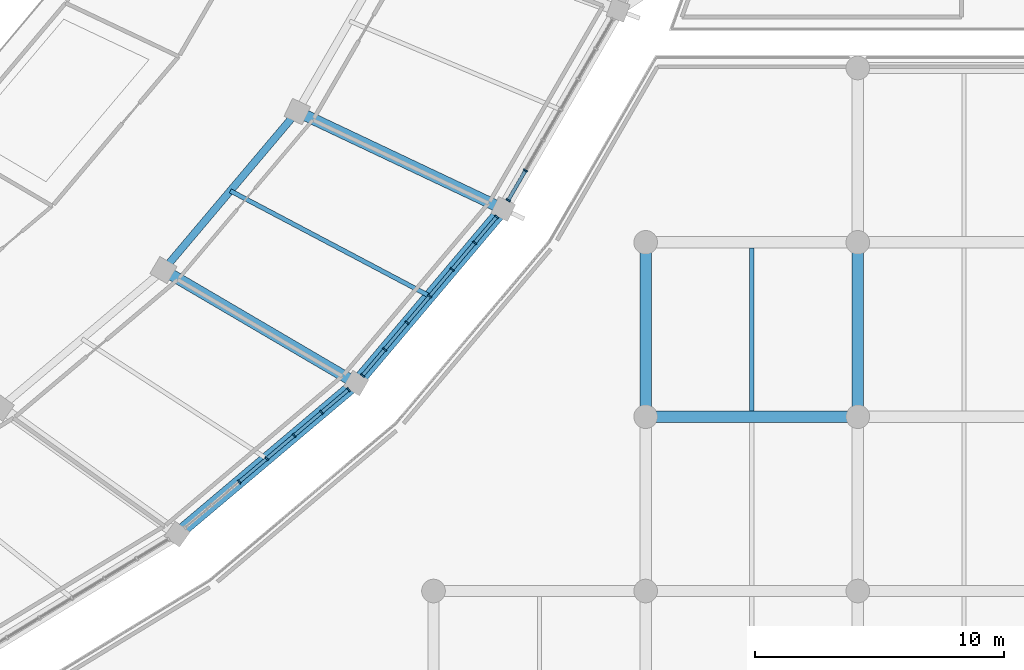
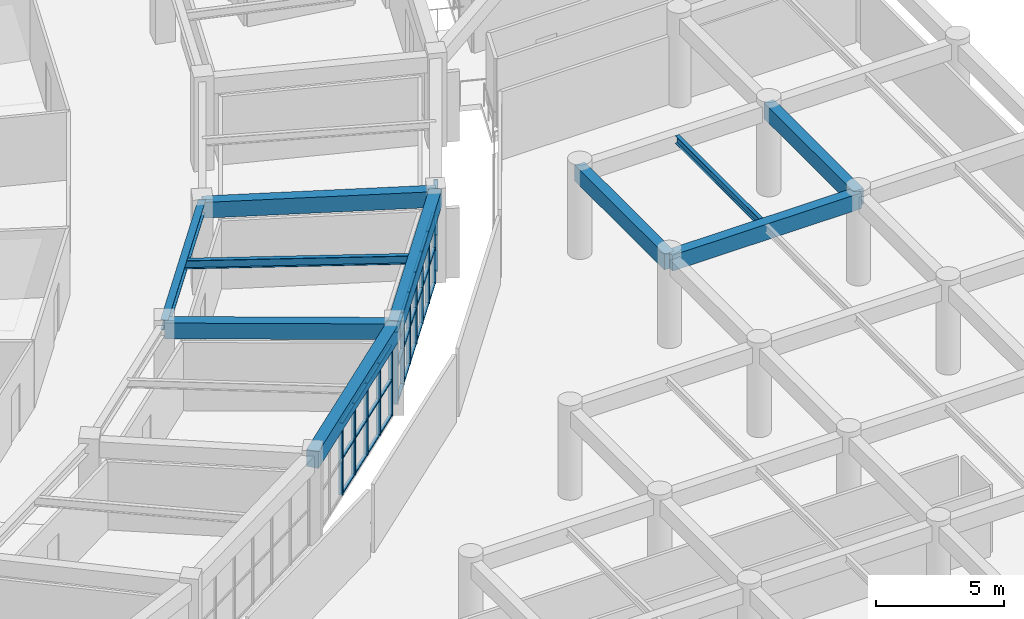
# One storey, part 40 of 141: 47 members, 10 beams, 3 elements without a shape of their own.
"""IFC4 building model written with IfcOpenShell, lengths in metres."""

from ifc_helpers import new_model, si_unit, direction, frame, origin, origin_2d, place, context, subcontext, project, spatial, rectangle, i_section, extrude, material, layer, layer_set, material_profile, profile_set, type_object, element, aggregate, save


model = new_model("IFC4")

# Units and contexts
model_context = context("Model", 3, precision=1e-05, world=origin(), true_north=direction((0.0, 1.0)))
body_context = subcontext(model_context, "Body", "Model", "MODEL_VIEW")
ifc_project = project(units=[si_unit("LENGTHUNIT", "METRE"), si_unit("AREAUNIT", "SQUARE_METRE"), si_unit("VOLUMEUNIT", "CUBIC_METRE"), si_unit("PLANEANGLEUNIT", "RADIAN"), si_unit("MASSUNIT", "GRAM", prefix="KILO")], contexts=[model_context])

# Site, building, storey
site_placement = place(None, origin())
site = spatial("IfcSite", under=ifc_project, at=site_placement, CompositionType="ELEMENT")
building_placement = place(site_placement, origin())
building = spatial("IfcBuilding", under=site, at=building_placement, Name="Mphavela Belvedere Stadium", CompositionType="ELEMENT")
storey_placement = place(building_placement, frame((0.0, 0.0, 14.699951171875)))
storey = spatial("IfcBuildingStorey", under=building, at=storey_placement, Name="L03", CompositionType="ELEMENT", Elevation=14.699951171875)

# Beams
ifc_material_1 = material(Name="Steel S355", Category="steel")
ifc_material_profile_1 = material_profile(ifc_material_1, i_section(OverallWidth=0.169921875, OverallDepth=0.360107421875, WebThickness=0.008056640625, FlangeThickness=0.0126953125, at=origin_2d()), Name="IPE 360")
ifc_profile_set_1 = profile_set([ifc_material_profile_1], Name="Steel S355")
beam_type_1 = type_object("IfcBeamType", Name="BM-JOIST-IPE360", PredefinedType="JOIST", material=ifc_profile_set_1)
beam_1_placement = place(storey_placement, frame((217.221923828125, 35.22509765625, 4.06005859375), z_axis=(0.0, 1.0, 0.0), x_axis=(-1.0, 0.0, 0.0)))
element("IfcBeam", 1, at=beam_1_placement, inside=storey, type_object=beam_type_1, Name="South Axial Triumphal Peristyle Portico secondary joist L03 26-6", PredefinedType="JOIST", context=body_context, shape_type="SweptSolid", body=[
    extrude(i_section(OverallWidth=0.169921875, OverallDepth=0.360107421875, WebThickness=0.008056640625, FlangeThickness=0.0126953125, at=origin_2d()), origin(), (0.0, 0.0, 1.0), 6.5498046875),
])
ifc_material_2 = material(Name="Steel S355", Category="steel")
ifc_material_profile_2 = material_profile(ifc_material_2, i_section(OverallWidth=0.179931640625, OverallDepth=0.39990234375, WebThickness=0.008544921875, FlangeThickness=0.013427734375, at=origin_2d()), Name="IPE 400")
ifc_profile_set_2 = profile_set([ifc_material_profile_2], Name="Steel S355")
beam_type_2 = type_object("IfcBeamType", Name="BM-JOIST-IPE400", PredefinedType="JOIST", material=ifc_profile_set_2)
beam_2_placement = place(storey_placement, frame((196.2880859375, 44.06884765625, 4.050048828125), z_axis=(0.884250771824, -0.467012390123, 0.0), x_axis=(0.467012390123, 0.884250771824, 0.0)))
element("IfcBeam", 2, at=beam_2_placement, inside=storey, type_object=beam_type_2, Name="Concourse floor joist L03-44", PredefinedType="JOIST", context=body_context, shape_type="SweptSolid", body=[
    extrude(i_section(OverallWidth=0.179931640625, OverallDepth=0.39990234375, WebThickness=0.008544921875, FlangeThickness=0.013427734375, at=origin_2d()), origin(), (0.0, 0.0, 1.0), 9.0498046875),
])
ifc_material_3 = material(Name="Concrete C40/50", Category="concrete")
ifc_material_profile_3 = material_profile(ifc_material_3, rectangle(XDim=0.449951171875, YDim=0.75, at=origin_2d()), Name="RC 450x750")
ifc_profile_set_3 = profile_set([ifc_material_profile_3], Name="Concrete C40/50")
beam_type_3 = type_object("IfcBeamType", Name="BM-RC450x750", PredefinedType="BEAM", material=ifc_profile_set_3)
beam_3_placement = place(storey_placement, frame((193.600341796875, 40.88623046875, 3.875), z_axis=(0.862517779395, -0.506026758411, 0.0), x_axis=(0.506026758411, 0.862517779395, 0.0)))
element("IfcBeam", 3, at=beam_3_placement, inside=storey, type_object=beam_type_3, Name="Radial concourse girder L03 R3R4-44", PredefinedType="BEAM", context=body_context, shape_type="SweptSolid", body=[
    extrude(rectangle(XDim=0.449951171875, YDim=0.75, at=origin_2d()), origin(), (0.0, 0.0, 1.0), 8.971435546875),
])
beam_4_placement = place(storey_placement, frame((198.9755859375, 47.251708984375, 3.875), z_axis=(0.903845427073, -0.427859140325, 0.0), x_axis=(0.427859140325, 0.903845427073, 0.0)))
element("IfcBeam", 4, at=beam_4_placement, inside=storey, type_object=beam_type_3, Name="Radial concourse girder L03 R3R4-45", PredefinedType="BEAM", context=body_context, shape_type="SweptSolid", body=[
    extrude(rectangle(XDim=0.449951171875, YDim=0.75, at=origin_2d()), origin(), (0.0, 0.0, 1.0), 9.146240234375),
])
beam_5_placement = place(storey_placement, frame((212.962890625, 35.0, 3.864990234375), z_axis=(1.0, 0.0, 0.0), x_axis=(0.0, 1.0, 0.0)))
element("IfcBeam", 5, at=beam_5_placement, inside=storey, type_object=beam_type_3, Name="South Axial Triumphal Peristyle Portico entablature beam X L03 26-6", PredefinedType="BEAM", context=body_context, shape_type="SweptSolid", body=[
    extrude(rectangle(XDim=0.449951171875, YDim=0.75, at=origin_2d()), origin(), (0.0, 0.0, 1.0), 8.51806640625),
])
for number, where, z_axis, x_axis, name in (
    (6, (212.962890625, 35.0, 3.864990234375), (0.0, 1.0, 0.0), (-1.0, 0.0, 0.0), "South Axial Triumphal Peristyle Portico entablature beam Y L03 26-6"),
    (7, (221.48095703125, 35.0, 3.864990234375), (0.0, 1.0, 0.0), (-1.0, 0.0, 0.0), "South Axial Triumphal Peristyle Portico entablature beam Y L03 27-6"),
):
    element("IfcBeam", number, at=place(storey_placement, frame(where, z_axis=z_axis, x_axis=x_axis)), inside=storey, type_object=beam_type_3, Name=name, PredefinedType="BEAM", context=body_context, shape_type="SweptSolid", body=[
        extrude(rectangle(XDim=0.449951171875, YDim=0.75, at=origin_2d()), origin(), (0.0, 0.0, 1.0), 7.0),
    ])
ifc_material_4 = material(Name="Concrete C40/50", Category="concrete")
ifc_material_profile_4 = material_profile(ifc_material_4, rectangle(XDim=0.5, YDim=0.800048828125, at=origin_2d()), Name="RC 500x800")
ifc_profile_set_4 = profile_set([ifc_material_profile_4], Name="Concrete C40/50")
beam_type_4 = type_object("IfcBeamType", Name="BM-SPANDREL-800", PredefinedType="SPANDREL", material=ifc_profile_set_4)
beam_6_placement = place(storey_placement, frame((194.155517578125, 30.285400390625, 3.85009765625), z_axis=(0.76426547638, 0.644901761212, 0.0), x_axis=(-0.644901761212, 0.76426547638, 0.0)))
element("IfcBeam", 8, at=beam_6_placement, inside=storey, type_object=beam_type_4, Name="Circumferential girder L03 R4-43", PredefinedType="SPANDREL", context=body_context, shape_type="SweptSolid", body=[
    extrude(rectangle(XDim=0.5, YDim=0.800048828125, at=origin_2d()), origin(), (0.0, 0.0, 1.0), 9.3984375),
])
beam_7_placement = place(storey_placement, frame((201.33837890625, 36.346435546875, 3.85009765625), z_axis=(0.645164552218, 0.764043650952, 0.0), x_axis=(-0.764043650952, 0.645164552218, 0.0)))
element("IfcBeam", 9, at=beam_7_placement, inside=storey, type_object=beam_type_4, Name="Circumferential girder L03 R4-44", PredefinedType="SPANDREL", context=body_context, shape_type="SweptSolid", body=[
    extrude(rectangle(XDim=0.5, YDim=0.800048828125, at=origin_2d()), origin(), (0.0, 0.0, 1.0), 9.151123046875),
])
ifc_material_5 = material(Name="Steel S355", Category="steel")
ifc_material_profile_5 = material_profile(ifc_material_5, i_section(OverallWidth=0.300048828125, OverallDepth=0.489990234375, WebThickness=0.011962890625, FlangeThickness=0.02294921875, at=origin_2d()), Name="HEA 500")
ifc_profile_set_5 = profile_set([ifc_material_profile_5], Name="Steel S355")
beam_type_5 = type_object("IfcBeamType", Name="BM-STEEL-HEA500", PredefinedType="BEAM", material=ifc_profile_set_5)
beam_8_placement = place(storey_placement, frame((193.600341796875, 40.88623046875, 4.005126953125), z_axis=(0.645177396673, 0.764032804808, 0.0), x_axis=(-0.764032804808, 0.645177396673, 0.0)))
element("IfcBeam", 10, at=beam_8_placement, inside=storey, type_object=beam_type_5, Name="Circumferential girder L03 R3-44", PredefinedType="BEAM", context=body_context, shape_type="SweptSolid", body=[
    extrude(i_section(OverallWidth=0.300048828125, OverallDepth=0.489990234375, WebThickness=0.011962890625, FlangeThickness=0.02294921875, at=origin_2d()), origin(), (0.0, 0.0, 1.0), 8.331298828125),
])

# Curtain wall, members
ifc_material_6 = material(Name="Anodised bronze unitised curtain wall framing")
ifc_layer_1 = layer(ifc_material_6, 0.205078125)
ifc_layer_set_1 = layer_set([ifc_layer_1], Name="Anodised bronze unitised curtain wall framing")
curtain_wall_type_1 = type_object("IfcCurtainWallType", Name="CW-UNIT-06", PredefinedType="USERDEFINED", material=ifc_layer_set_1)
curtain_wall_1_placement = place(storey_placement, origin())
curtain_wall_1 = element("IfcCurtainWall", 11, at=curtain_wall_1_placement, inside=storey, type_object=curtain_wall_type_1, Name="Belvedere colonnade curtain wall L03-43", ObjectType="UNITISED CURTAIN WALL", PredefinedType="USERDEFINED")
ifc_material_7 = material(Name="Anodised bronze extruded aluminium", Category="aluminium")
ifc_material_profile_6 = material_profile(ifc_material_7, rectangle(XDim=0.179931640625, YDim=0.06494140625, at=origin_2d()), Name="CW-MUL 180x65")
ifc_profile_set_6 = profile_set([ifc_material_profile_6], Name="Anodised bronze extruded aluminium")
member_type_1 = type_object("IfcMemberType", Name="CWM-180x65", PredefinedType="MULLION", material=ifc_profile_set_6)
member_1_placement = place(storey_placement, frame((196.644775390625, 32.385986328125, 0.0), z_axis=(0.0, 0.0, 1.0), x_axis=(-0.644904906656, 0.764262822183, 0.0)))
member_1 = element("IfcMember", 12, at=member_1_placement, type_object=member_type_1, Name="CW-06 mullion 3", PredefinedType="MULLION", context=body_context, shape_type="SweptSolid", body=[
    extrude(rectangle(XDim=0.179931640625, YDim=0.06494140625, at=origin_2d()), origin(), (0.0, 0.0, 1.0), 3.420166015625),
])
member_2_placement = place(storey_placement, frame((197.7470703125, 33.31591796875, 0.0), z_axis=(0.0, 0.0, 1.0), x_axis=(-0.644904906656, 0.764262822183, 0.0)))
member_2 = element("IfcMember", 13, at=member_2_placement, type_object=member_type_1, Name="CW-06 mullion 4", PredefinedType="MULLION", context=body_context, shape_type="SweptSolid", body=[
    extrude(rectangle(XDim=0.179931640625, YDim=0.06494140625, at=origin_2d()), origin(), (0.0, 0.0, 1.0), 3.420166015625),
])
member_3_placement = place(storey_placement, frame((198.84912109375, 34.245849609375, 0.0), z_axis=(0.0, 0.0, 1.0), x_axis=(-0.644904906656, 0.764262822183, 0.0)))
member_3 = element("IfcMember", 14, at=member_3_placement, type_object=member_type_1, Name="CW-06 mullion 5", PredefinedType="MULLION", context=body_context, shape_type="SweptSolid", body=[
    extrude(rectangle(XDim=0.179931640625, YDim=0.06494140625, at=origin_2d()), origin(), (0.0, 0.0, 1.0), 3.420166015625),
])
member_4_placement = place(storey_placement, frame((199.951171875, 35.176025390625, 0.0), z_axis=(0.0, 0.0, 1.0), x_axis=(-0.644904906656, 0.764262822183, 0.0)))
member_4 = element("IfcMember", 15, at=member_4_placement, type_object=member_type_1, Name="CW-06 mullion 6", PredefinedType="MULLION", context=body_context, shape_type="SweptSolid", body=[
    extrude(rectangle(XDim=0.179931640625, YDim=0.06494140625, at=origin_2d()), origin(), (0.0, 0.0, 1.0), 3.420166015625),
])
member_5_placement = place(storey_placement, frame((201.0283203125, 36.0849609375, 0.0), z_axis=(0.0, 0.0, 1.0), x_axis=(-0.644904906656, 0.764262822183, 0.0)))
member_5 = element("IfcMember", 16, at=member_5_placement, type_object=member_type_1, Name="CW-06 mullion 7", PredefinedType="MULLION", context=body_context, shape_type="SweptSolid", body=[
    extrude(rectangle(XDim=0.179931640625, YDim=0.06494140625, at=origin_2d()), origin(), (0.0, 0.0, 1.0), 3.420166015625),
])

ifc_material_8 = material(Name="Anodised bronze unitised curtain wall framing")
ifc_layer_2 = layer(ifc_material_8, 0.179931640625)
ifc_layer_set_2 = layer_set([ifc_layer_2], Name="Anodised bronze unitised curtain wall framing")
curtain_wall_type_2 = type_object("IfcCurtainWallType", Name="CW-UNIT-01", PredefinedType="USERDEFINED", material=ifc_layer_set_2)
curtain_wall_2_placement = place(storey_placement, origin())
curtain_wall_2 = element("IfcCurtainWall", 17, at=curtain_wall_2_placement, inside=storey, type_object=curtain_wall_type_2, Name="Belvedere colonnade curtain wall L03-44", ObjectType="UNITISED CURTAIN WALL", PredefinedType="USERDEFINED")
member_6_placement = place(storey_placement, frame((201.599853515625, 36.65625, 0.0), z_axis=(0.0, 0.0, 1.0), x_axis=(-0.76403121907, 0.645179274532, 0.0)))
member_6 = element("IfcMember", 18, at=member_6_placement, type_object=member_type_1, Name="CW-01 mullion 1", PredefinedType="MULLION", context=body_context, shape_type="SweptSolid", body=[
    extrude(rectangle(XDim=0.179931640625, YDim=0.06494140625, at=origin_2d()), origin(), (0.0, 0.0, 1.0), 3.420166015625),
])
member_7_placement = place(storey_placement, frame((202.482666015625, 37.701904296875, 0.0), z_axis=(0.0, 0.0, 1.0), x_axis=(-0.76403121907, 0.645179274532, 0.0)))
member_7 = element("IfcMember", 19, at=member_7_placement, type_object=member_type_1, Name="CW-01 mullion 2", PredefinedType="MULLION", context=body_context, shape_type="SweptSolid", body=[
    extrude(rectangle(XDim=0.179931640625, YDim=0.06494140625, at=origin_2d()), origin(), (0.0, 0.0, 1.0), 3.420166015625),
])
member_8_placement = place(storey_placement, frame((203.386474609375, 38.772216796875, 0.0), z_axis=(0.0, 0.0, 1.0), x_axis=(-0.76403121907, 0.645179274532, 0.0)))
member_8 = element("IfcMember", 20, at=member_8_placement, type_object=member_type_1, Name="CW-01 mullion 3", PredefinedType="MULLION", context=body_context, shape_type="SweptSolid", body=[
    extrude(rectangle(XDim=0.179931640625, YDim=0.06494140625, at=origin_2d()), origin(), (0.0, 0.0, 1.0), 3.420166015625),
])
member_9_placement = place(storey_placement, frame((204.290283203125, 39.842529296875, 0.0), z_axis=(0.0, 0.0, 1.0), x_axis=(-0.76403121907, 0.645179274532, 0.0)))
member_9 = element("IfcMember", 21, at=member_9_placement, type_object=member_type_1, Name="CW-01 mullion 4", PredefinedType="MULLION", context=body_context, shape_type="SweptSolid", body=[
    extrude(rectangle(XDim=0.179931640625, YDim=0.06494140625, at=origin_2d()), origin(), (0.0, 0.0, 1.0), 3.420166015625),
])
member_10_placement = place(storey_placement, frame((205.1943359375, 40.912841796875, 0.0), z_axis=(0.0, 0.0, 1.0), x_axis=(-0.76403121907, 0.645179274532, 0.0)))
member_10 = element("IfcMember", 22, at=member_10_placement, type_object=member_type_1, Name="CW-01 mullion 5", PredefinedType="MULLION", context=body_context, shape_type="SweptSolid", body=[
    extrude(rectangle(XDim=0.179931640625, YDim=0.06494140625, at=origin_2d()), origin(), (0.0, 0.0, 1.0), 3.420166015625),
])
member_11_placement = place(storey_placement, frame((206.09814453125, 41.983154296875, 0.0), z_axis=(0.0, 0.0, 1.0), x_axis=(-0.76403121907, 0.645179274532, 0.0)))
member_11 = element("IfcMember", 23, at=member_11_placement, type_object=member_type_1, Name="CW-01 mullion 6", PredefinedType="MULLION", context=body_context, shape_type="SweptSolid", body=[
    extrude(rectangle(XDim=0.179931640625, YDim=0.06494140625, at=origin_2d()), origin(), (0.0, 0.0, 1.0), 3.420166015625),
])
member_12_placement = place(storey_placement, frame((206.98095703125, 43.028564453125, 0.0), z_axis=(0.0, 0.0, 1.0), x_axis=(-0.76403121907, 0.645179274532, 0.0)))
member_12 = element("IfcMember", 24, at=member_12_placement, type_object=member_type_1, Name="CW-01 mullion 7", PredefinedType="MULLION", context=body_context, shape_type="SweptSolid", body=[
    extrude(rectangle(XDim=0.179931640625, YDim=0.06494140625, at=origin_2d()), origin(), (0.0, 0.0, 1.0), 3.420166015625),
])

ifc_material_9 = material(Name="Anodised bronze unitised curtain wall framing")
ifc_layer_3 = layer(ifc_material_9, 0.18505859375)
ifc_layer_set_3 = layer_set([ifc_layer_3], Name="Anodised bronze unitised curtain wall framing")
curtain_wall_type_3 = type_object("IfcCurtainWallType", Name="CW-UNIT-02", PredefinedType="USERDEFINED", material=ifc_layer_set_3)
curtain_wall_3_placement = place(storey_placement, origin())
curtain_wall_3 = element("IfcCurtainWall", 25, at=curtain_wall_3_placement, inside=storey, type_object=curtain_wall_type_3, Name="Belvedere colonnade curtain wall L03-45", ObjectType="UNITISED CURTAIN WALL", PredefinedType="USERDEFINED")
member_13_placement = place(storey_placement, frame((207.445556640625, 43.689453125, 0.0), z_axis=(0.0, 0.0, 1.0), x_axis=(-0.865705257789, 0.50055409961, 0.0)))
member_13 = element("IfcMember", 26, at=member_13_placement, type_object=member_type_1, Name="CW-02 mullion 1", PredefinedType="MULLION", context=body_context, shape_type="SweptSolid", body=[
    extrude(rectangle(XDim=0.179931640625, YDim=0.06494140625, at=origin_2d()), origin(), (0.0, 0.0, 1.0), 3.420166015625),
])
member_14_placement = place(storey_placement, frame((208.135986328125, 44.883544921875, 0.0), z_axis=(0.0, 0.0, 1.0), x_axis=(-0.865705257789, 0.50055409961, 0.0)))
member_14 = element("IfcMember", 27, at=member_14_placement, type_object=member_type_1, Name="CW-02 mullion 2", PredefinedType="MULLION", context=body_context, shape_type="SweptSolid", body=[
    extrude(rectangle(XDim=0.179931640625, YDim=0.06494140625, at=origin_2d()), origin(), (0.0, 0.0, 1.0), 3.420166015625),
])

# Member
ifc_material_10 = material(Name="Anodised bronze extruded aluminium", Category="aluminium")
ifc_material_profile_7 = material_profile(ifc_material_10, rectangle(XDim=0.139892578125, YDim=0.06005859375, at=origin_2d()), Name="CW-TRN 140x60")
ifc_profile_set_7 = profile_set([ifc_material_profile_7], Name="Anodised bronze extruded aluminium")
member_type_2 = type_object("IfcMemberType", Name="CWT-140x60", PredefinedType="USERDEFINED", material=ifc_profile_set_7)
member_15_placement = place(storey_placement, frame((196.669677734375, 32.406982421875, 0.030029296875), z_axis=(0.764326982188, 0.644828864351, 0.0), x_axis=(-0.644828864351, 0.764326982188, 0.0)))
member_15 = element("IfcMember", 28, at=member_15_placement, type_object=member_type_2, Name="CW-06 transom 3.1", ObjectType="TRANSOM", PredefinedType="USERDEFINED", context=body_context, shape_type="SweptSolid", body=[
    extrude(rectangle(XDim=0.139892578125, YDim=0.06005859375, at=origin_2d()), origin(), (0.0, 0.0, 1.0), 1.376953125),
])

member_16_placement = place(storey_placement, frame((196.669677734375, 32.406982421875, 1.7099609375), z_axis=(0.764326982188, 0.644828864351, 0.0), x_axis=(-0.644828864351, 0.764326982188, 0.0)))
member_16 = element("IfcMember", 29, at=member_16_placement, type_object=member_type_2, Name="CW-06 transom 3.2", ObjectType="TRANSOM", PredefinedType="USERDEFINED", context=body_context, shape_type="SweptSolid", body=[
    extrude(rectangle(XDim=0.139892578125, YDim=0.06005859375, at=origin_2d()), origin(), (0.0, 0.0, 1.0), 1.376953125),
])

member_17_placement = place(storey_placement, frame((196.669677734375, 32.406982421875, 3.39013671875), z_axis=(0.764326982188, 0.644828864351, 0.0), x_axis=(-0.644828864351, 0.764326982188, 0.0)))
member_17 = element("IfcMember", 30, at=member_17_placement, type_object=member_type_2, Name="CW-06 transom 3.3", ObjectType="TRANSOM", PredefinedType="USERDEFINED", context=body_context, shape_type="SweptSolid", body=[
    extrude(rectangle(XDim=0.139892578125, YDim=0.06005859375, at=origin_2d()), origin(), (0.0, 0.0, 1.0), 1.376953125),
])

member_18_placement = place(storey_placement, frame((197.771728515625, 33.3369140625, 0.030029296875), z_axis=(0.764239602588, 0.64493242269, 0.0), x_axis=(-0.64493242269, 0.764239602588, 0.0)))
member_18 = element("IfcMember", 31, at=member_18_placement, type_object=member_type_2, Name="CW-06 transom 4.1", ObjectType="TRANSOM", PredefinedType="USERDEFINED", context=body_context, shape_type="SweptSolid", body=[
    extrude(rectangle(XDim=0.139892578125, YDim=0.06005859375, at=origin_2d()), origin(), (0.0, 0.0, 1.0), 1.377197265625),
])

member_19_placement = place(storey_placement, frame((197.771728515625, 33.3369140625, 1.7099609375), z_axis=(0.764239602588, 0.64493242269, 0.0), x_axis=(-0.64493242269, 0.764239602588, 0.0)))
member_19 = element("IfcMember", 32, at=member_19_placement, type_object=member_type_2, Name="CW-06 transom 4.2", ObjectType="TRANSOM", PredefinedType="USERDEFINED", context=body_context, shape_type="SweptSolid", body=[
    extrude(rectangle(XDim=0.139892578125, YDim=0.06005859375, at=origin_2d()), origin(), (0.0, 0.0, 1.0), 1.377197265625),
])

member_20_placement = place(storey_placement, frame((197.771728515625, 33.3369140625, 3.39013671875), z_axis=(0.764239602588, 0.64493242269, 0.0), x_axis=(-0.64493242269, 0.764239602588, 0.0)))
member_20 = element("IfcMember", 33, at=member_20_placement, type_object=member_type_2, Name="CW-06 transom 4.3", ObjectType="TRANSOM", PredefinedType="USERDEFINED", context=body_context, shape_type="SweptSolid", body=[
    extrude(rectangle(XDim=0.139892578125, YDim=0.06005859375, at=origin_2d()), origin(), (0.0, 0.0, 1.0), 1.377197265625),
])

member_21_placement = place(storey_placement, frame((198.873779296875, 34.266845703125, 0.030029296875), z_axis=(0.764239602588, 0.64493242269, 0.0), x_axis=(-0.64493242269, 0.764239602588, 0.0)))
member_21 = element("IfcMember", 34, at=member_21_placement, type_object=member_type_2, Name="CW-06 transom 5.1", ObjectType="TRANSOM", PredefinedType="USERDEFINED", context=body_context, shape_type="SweptSolid", body=[
    extrude(rectangle(XDim=0.139892578125, YDim=0.06005859375, at=origin_2d()), origin(), (0.0, 0.0, 1.0), 1.377197265625),
])

member_22_placement = place(storey_placement, frame((198.873779296875, 34.266845703125, 1.7099609375), z_axis=(0.764239602588, 0.64493242269, 0.0), x_axis=(-0.64493242269, 0.764239602588, 0.0)))
member_22 = element("IfcMember", 35, at=member_22_placement, type_object=member_type_2, Name="CW-06 transom 5.2", ObjectType="TRANSOM", PredefinedType="USERDEFINED", context=body_context, shape_type="SweptSolid", body=[
    extrude(rectangle(XDim=0.139892578125, YDim=0.06005859375, at=origin_2d()), origin(), (0.0, 0.0, 1.0), 1.377197265625),
])

member_23_placement = place(storey_placement, frame((198.873779296875, 34.266845703125, 3.39013671875), z_axis=(0.764239602588, 0.64493242269, 0.0), x_axis=(-0.64493242269, 0.764239602588, 0.0)))
member_23 = element("IfcMember", 36, at=member_23_placement, type_object=member_type_2, Name="CW-06 transom 5.3", ObjectType="TRANSOM", PredefinedType="USERDEFINED", context=body_context, shape_type="SweptSolid", body=[
    extrude(rectangle(XDim=0.139892578125, YDim=0.06005859375, at=origin_2d()), origin(), (0.0, 0.0, 1.0), 1.377197265625),
])

member_24_placement = place(storey_placement, frame((199.97607421875, 35.19677734375, 0.030029296875), z_axis=(0.764157212068, 0.645030042126, 0.0), x_axis=(-0.645030042126, 0.764157212068, 0.0)))
member_24 = element("IfcMember", 37, at=member_24_placement, type_object=member_type_2, Name="CW-06 transom 6.1", ObjectType="TRANSOM", PredefinedType="USERDEFINED", context=body_context, shape_type="SweptSolid", body=[
    extrude(rectangle(XDim=0.139892578125, YDim=0.06005859375, at=origin_2d()), origin(), (0.0, 0.0, 1.0), 1.344482421875),
])

member_25_placement = place(storey_placement, frame((199.97607421875, 35.19677734375, 1.7099609375), z_axis=(0.764157212068, 0.645030042126, 0.0), x_axis=(-0.645030042126, 0.764157212068, 0.0)))
member_25 = element("IfcMember", 38, at=member_25_placement, type_object=member_type_2, Name="CW-06 transom 6.2", ObjectType="TRANSOM", PredefinedType="USERDEFINED", context=body_context, shape_type="SweptSolid", body=[
    extrude(rectangle(XDim=0.139892578125, YDim=0.06005859375, at=origin_2d()), origin(), (0.0, 0.0, 1.0), 1.344482421875),
])

member_26_placement = place(storey_placement, frame((199.97607421875, 35.19677734375, 3.39013671875), z_axis=(0.764157212068, 0.645030042126, 0.0), x_axis=(-0.645030042126, 0.764157212068, 0.0)))
member_26 = element("IfcMember", 39, at=member_26_placement, type_object=member_type_2, Name="CW-06 transom 6.3", ObjectType="TRANSOM", PredefinedType="USERDEFINED", context=body_context, shape_type="SweptSolid", body=[
    extrude(rectangle(XDim=0.139892578125, YDim=0.06005859375, at=origin_2d()), origin(), (0.0, 0.0, 1.0), 1.344482421875),
])

aggregate(curtain_wall_1, [member_1, member_2, member_3, member_4, member_5, member_15, member_16, member_17, member_18, member_19, member_20, member_21, member_22, member_23, member_24, member_25, member_26])

member_27_placement = place(storey_placement, frame((201.620849609375, 36.68115234375, 0.030029296875), z_axis=(0.645127358185, 0.76407505634, 0.0), x_axis=(-0.76407505634, 0.645127358185, 0.0)))
member_27 = element("IfcMember", 40, at=member_27_placement, type_object=member_type_2, Name="CW-01 transom 1.1", ObjectType="TRANSOM", PredefinedType="USERDEFINED", context=body_context, shape_type="SweptSolid", body=[
    extrude(rectangle(XDim=0.139892578125, YDim=0.06005859375, at=origin_2d()), origin(), (0.0, 0.0, 1.0), 1.30322265625),
])

member_28_placement = place(storey_placement, frame((201.620849609375, 36.68115234375, 1.7099609375), z_axis=(0.645127358185, 0.76407505634, 0.0), x_axis=(-0.76407505634, 0.645127358185, 0.0)))
member_28 = element("IfcMember", 41, at=member_28_placement, type_object=member_type_2, Name="CW-01 transom 1.2", ObjectType="TRANSOM", PredefinedType="USERDEFINED", context=body_context, shape_type="SweptSolid", body=[
    extrude(rectangle(XDim=0.139892578125, YDim=0.06005859375, at=origin_2d()), origin(), (0.0, 0.0, 1.0), 1.30322265625),
])

member_29_placement = place(storey_placement, frame((201.620849609375, 36.68115234375, 3.39013671875), z_axis=(0.645127358185, 0.76407505634, 0.0), x_axis=(-0.76407505634, 0.645127358185, 0.0)))
member_29 = element("IfcMember", 42, at=member_29_placement, type_object=member_type_2, Name="CW-01 transom 1.3", ObjectType="TRANSOM", PredefinedType="USERDEFINED", context=body_context, shape_type="SweptSolid", body=[
    extrude(rectangle(XDim=0.139892578125, YDim=0.06005859375, at=origin_2d()), origin(), (0.0, 0.0, 1.0), 1.30322265625),
])

member_30_placement = place(storey_placement, frame((202.503662109375, 37.7265625, 0.030029296875), z_axis=(0.645114436759, 0.764085966031, 0.0), x_axis=(-0.764085966031, 0.645114436759, 0.0)))
member_30 = element("IfcMember", 43, at=member_30_placement, type_object=member_type_2, Name="CW-01 transom 2.1", ObjectType="TRANSOM", PredefinedType="USERDEFINED", context=body_context, shape_type="SweptSolid", body=[
    extrude(rectangle(XDim=0.139892578125, YDim=0.06005859375, at=origin_2d()), origin(), (0.0, 0.0, 1.0), 1.3359375),
])

member_31_placement = place(storey_placement, frame((202.503662109375, 37.7265625, 1.7099609375), z_axis=(0.645114436759, 0.764085966031, 0.0), x_axis=(-0.764085966031, 0.645114436759, 0.0)))
member_31 = element("IfcMember", 44, at=member_31_placement, type_object=member_type_2, Name="CW-01 transom 2.2", ObjectType="TRANSOM", PredefinedType="USERDEFINED", context=body_context, shape_type="SweptSolid", body=[
    extrude(rectangle(XDim=0.139892578125, YDim=0.06005859375, at=origin_2d()), origin(), (0.0, 0.0, 1.0), 1.3359375),
])

member_32_placement = place(storey_placement, frame((202.503662109375, 37.7265625, 3.39013671875), z_axis=(0.645114436759, 0.764085966031, 0.0), x_axis=(-0.764085966031, 0.645114436759, 0.0)))
member_32 = element("IfcMember", 45, at=member_32_placement, type_object=member_type_2, Name="CW-01 transom 2.3", ObjectType="TRANSOM", PredefinedType="USERDEFINED", context=body_context, shape_type="SweptSolid", body=[
    extrude(rectangle(XDim=0.139892578125, YDim=0.06005859375, at=origin_2d()), origin(), (0.0, 0.0, 1.0), 1.3359375),
])

member_33_placement = place(storey_placement, frame((203.407470703125, 38.797119140625, 0.030029296875), z_axis=(0.645311197861, 0.763919798091, 0.0), x_axis=(-0.763919798091, 0.645311197861, 0.0)))
member_33 = element("IfcMember", 46, at=member_33_placement, type_object=member_type_2, Name="CW-01 transom 3.1", ObjectType="TRANSOM", PredefinedType="USERDEFINED", context=body_context, shape_type="SweptSolid", body=[
    extrude(rectangle(XDim=0.139892578125, YDim=0.06005859375, at=origin_2d()), origin(), (0.0, 0.0, 1.0), 1.3359375),
])

member_34_placement = place(storey_placement, frame((203.407470703125, 38.797119140625, 1.7099609375), z_axis=(0.645311197861, 0.763919798091, 0.0), x_axis=(-0.763919798091, 0.645311197861, 0.0)))
member_34 = element("IfcMember", 47, at=member_34_placement, type_object=member_type_2, Name="CW-01 transom 3.2", ObjectType="TRANSOM", PredefinedType="USERDEFINED", context=body_context, shape_type="SweptSolid", body=[
    extrude(rectangle(XDim=0.139892578125, YDim=0.06005859375, at=origin_2d()), origin(), (0.0, 0.0, 1.0), 1.3359375),
])

member_35_placement = place(storey_placement, frame((203.407470703125, 38.797119140625, 3.39013671875), z_axis=(0.645311197861, 0.763919798091, 0.0), x_axis=(-0.763919798091, 0.645311197861, 0.0)))
member_35 = element("IfcMember", 48, at=member_35_placement, type_object=member_type_2, Name="CW-01 transom 3.3", ObjectType="TRANSOM", PredefinedType="USERDEFINED", context=body_context, shape_type="SweptSolid", body=[
    extrude(rectangle(XDim=0.139892578125, YDim=0.06005859375, at=origin_2d()), origin(), (0.0, 0.0, 1.0), 1.3359375),
])

member_36_placement = place(storey_placement, frame((204.311279296875, 39.867431640625, 0.030029296875), z_axis=(0.645311197861, 0.763919798091, 0.0), x_axis=(-0.763919798091, 0.645311197861, 0.0)))
member_36 = element("IfcMember", 49, at=member_36_placement, type_object=member_type_2, Name="CW-01 transom 4.1", ObjectType="TRANSOM", PredefinedType="USERDEFINED", context=body_context, shape_type="SweptSolid", body=[
    extrude(rectangle(XDim=0.139892578125, YDim=0.06005859375, at=origin_2d()), origin(), (0.0, 0.0, 1.0), 1.3359375),
])

member_37_placement = place(storey_placement, frame((204.311279296875, 39.867431640625, 1.7099609375), z_axis=(0.645311197861, 0.763919798091, 0.0), x_axis=(-0.763919798091, 0.645311197861, 0.0)))
member_37 = element("IfcMember", 50, at=member_37_placement, type_object=member_type_2, Name="CW-01 transom 4.2", ObjectType="TRANSOM", PredefinedType="USERDEFINED", context=body_context, shape_type="SweptSolid", body=[
    extrude(rectangle(XDim=0.139892578125, YDim=0.06005859375, at=origin_2d()), origin(), (0.0, 0.0, 1.0), 1.3359375),
])

member_38_placement = place(storey_placement, frame((204.311279296875, 39.867431640625, 3.39013671875), z_axis=(0.645311197861, 0.763919798091, 0.0), x_axis=(-0.763919798091, 0.645311197861, 0.0)))
member_38 = element("IfcMember", 51, at=member_38_placement, type_object=member_type_2, Name="CW-01 transom 4.3", ObjectType="TRANSOM", PredefinedType="USERDEFINED", context=body_context, shape_type="SweptSolid", body=[
    extrude(rectangle(XDim=0.139892578125, YDim=0.06005859375, at=origin_2d()), origin(), (0.0, 0.0, 1.0), 1.3359375),
])

member_39_placement = place(storey_placement, frame((205.215087890625, 40.937744140625, 0.030029296875), z_axis=(0.645311197861, 0.763919798091, 0.0), x_axis=(-0.763919798091, 0.645311197861, 0.0)))
member_39 = element("IfcMember", 52, at=member_39_placement, type_object=member_type_2, Name="CW-01 transom 5.1", ObjectType="TRANSOM", PredefinedType="USERDEFINED", context=body_context, shape_type="SweptSolid", body=[
    extrude(rectangle(XDim=0.139892578125, YDim=0.06005859375, at=origin_2d()), origin(), (0.0, 0.0, 1.0), 1.3359375),
])

member_40_placement = place(storey_placement, frame((205.215087890625, 40.937744140625, 1.7099609375), z_axis=(0.645311197861, 0.763919798091, 0.0), x_axis=(-0.763919798091, 0.645311197861, 0.0)))
member_40 = element("IfcMember", 53, at=member_40_placement, type_object=member_type_2, Name="CW-01 transom 5.2", ObjectType="TRANSOM", PredefinedType="USERDEFINED", context=body_context, shape_type="SweptSolid", body=[
    extrude(rectangle(XDim=0.139892578125, YDim=0.06005859375, at=origin_2d()), origin(), (0.0, 0.0, 1.0), 1.3359375),
])

member_41_placement = place(storey_placement, frame((205.215087890625, 40.937744140625, 3.39013671875), z_axis=(0.645311197861, 0.763919798091, 0.0), x_axis=(-0.763919798091, 0.645311197861, 0.0)))
member_41 = element("IfcMember", 54, at=member_41_placement, type_object=member_type_2, Name="CW-01 transom 5.3", ObjectType="TRANSOM", PredefinedType="USERDEFINED", context=body_context, shape_type="SweptSolid", body=[
    extrude(rectangle(XDim=0.139892578125, YDim=0.06005859375, at=origin_2d()), origin(), (0.0, 0.0, 1.0), 1.3359375),
])

member_42_placement = place(storey_placement, frame((206.119140625, 42.008056640625, 0.030029296875), z_axis=(0.645127358185, 0.76407505634, 0.0), x_axis=(-0.76407505634, 0.645127358185, 0.0)))
member_42 = element("IfcMember", 55, at=member_42_placement, type_object=member_type_2, Name="CW-01 transom 6.1", ObjectType="TRANSOM", PredefinedType="USERDEFINED", context=body_context, shape_type="SweptSolid", body=[
    extrude(rectangle(XDim=0.139892578125, YDim=0.06005859375, at=origin_2d()), origin(), (0.0, 0.0, 1.0), 1.30322265625),
])

member_43_placement = place(storey_placement, frame((206.119140625, 42.008056640625, 1.7099609375), z_axis=(0.645127358185, 0.76407505634, 0.0), x_axis=(-0.76407505634, 0.645127358185, 0.0)))
member_43 = element("IfcMember", 56, at=member_43_placement, type_object=member_type_2, Name="CW-01 transom 6.2", ObjectType="TRANSOM", PredefinedType="USERDEFINED", context=body_context, shape_type="SweptSolid", body=[
    extrude(rectangle(XDim=0.139892578125, YDim=0.06005859375, at=origin_2d()), origin(), (0.0, 0.0, 1.0), 1.30322265625),
])

member_44_placement = place(storey_placement, frame((206.119140625, 42.008056640625, 3.39013671875), z_axis=(0.645127358185, 0.76407505634, 0.0), x_axis=(-0.76407505634, 0.645127358185, 0.0)))
member_44 = element("IfcMember", 57, at=member_44_placement, type_object=member_type_2, Name="CW-01 transom 6.3", ObjectType="TRANSOM", PredefinedType="USERDEFINED", context=body_context, shape_type="SweptSolid", body=[
    extrude(rectangle(XDim=0.139892578125, YDim=0.06005859375, at=origin_2d()), origin(), (0.0, 0.0, 1.0), 1.30322265625),
])

aggregate(curtain_wall_2, [member_6, member_7, member_8, member_9, member_10, member_11, member_12, member_27, member_28, member_29, member_30, member_31, member_32, member_33, member_34, member_35, member_36, member_37, member_38, member_39, member_40, member_41, member_42, member_43, member_44])

member_45_placement = place(storey_placement, frame((207.461669921875, 43.7177734375, 0.030029296875), z_axis=(0.500633471094, 0.865659360037, 0.0), x_axis=(-0.865659360037, 0.500633471094, 0.0)))
member_45 = element("IfcMember", 58, at=member_45_placement, type_object=member_type_2, Name="CW-02 transom 1.1", ObjectType="TRANSOM", PredefinedType="USERDEFINED", context=body_context, shape_type="SweptSolid", body=[
    extrude(rectangle(XDim=0.139892578125, YDim=0.06005859375, at=origin_2d()), origin(), (0.0, 0.0, 1.0), 1.314208984375),
])

member_46_placement = place(storey_placement, frame((207.461669921875, 43.7177734375, 1.7099609375), z_axis=(0.500633471094, 0.865659360037, 0.0), x_axis=(-0.865659360037, 0.500633471094, 0.0)))
member_46 = element("IfcMember", 59, at=member_46_placement, type_object=member_type_2, Name="CW-02 transom 1.2", ObjectType="TRANSOM", PredefinedType="USERDEFINED", context=body_context, shape_type="SweptSolid", body=[
    extrude(rectangle(XDim=0.139892578125, YDim=0.06005859375, at=origin_2d()), origin(), (0.0, 0.0, 1.0), 1.314208984375),
])

member_47_placement = place(storey_placement, frame((207.461669921875, 43.7177734375, 3.39013671875), z_axis=(0.500633471094, 0.865659360037, 0.0), x_axis=(-0.865659360037, 0.500633471094, 0.0)))
member_47 = element("IfcMember", 60, at=member_47_placement, type_object=member_type_2, Name="CW-02 transom 1.3", ObjectType="TRANSOM", PredefinedType="USERDEFINED", context=body_context, shape_type="SweptSolid", body=[
    extrude(rectangle(XDim=0.139892578125, YDim=0.06005859375, at=origin_2d()), origin(), (0.0, 0.0, 1.0), 1.314208984375),
])

aggregate(curtain_wall_3, [member_13, member_14, member_45, member_46, member_47])

save(model, "model.ifc")
